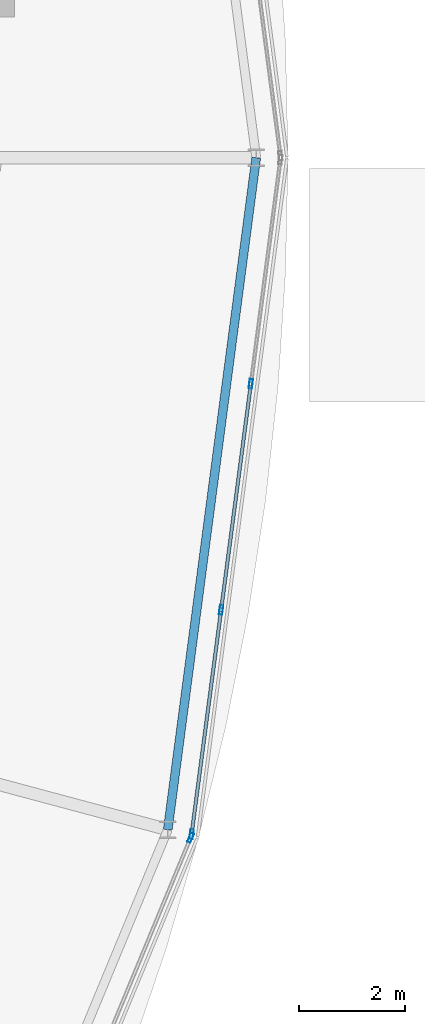
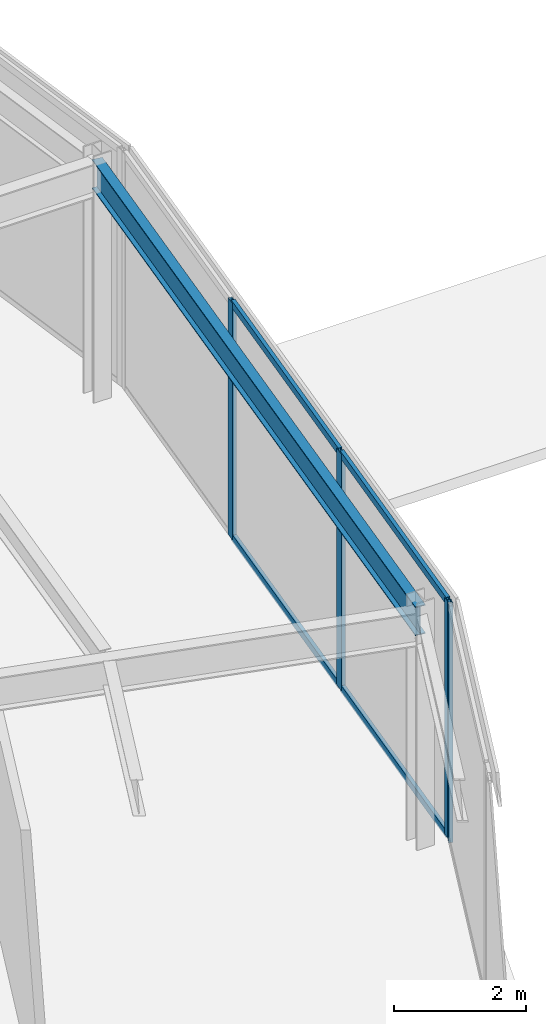
# One storey, part 83 of 133: 8 members, 1 beam, 2 elements without a shape of their own.
"""IFC4 building model written with IfcOpenShell, lengths in metres."""

from ifc_helpers import new_model, si_unit, direction, frame, origin, origin_2d, place, context, subcontext, project, spatial, hollow_rectangle, i_section, extrude, material, material_profile, profile_set, type_object, element, aggregate, save


model = new_model("IFC4")

# Units and contexts
model_context = context("Model", 3, precision=1e-05, world=origin(), true_north=direction((0.0, 1.0)))
body_context = subcontext(model_context, "Body", "Model", "MODEL_VIEW")
ifc_project = project(units=[si_unit("LENGTHUNIT", "METRE"), si_unit("AREAUNIT", "SQUARE_METRE"), si_unit("VOLUMEUNIT", "CUBIC_METRE"), si_unit("PLANEANGLEUNIT", "RADIAN"), si_unit("MASSUNIT", "GRAM", prefix="KILO")], contexts=[model_context])

# Site, building, storey
site_placement = place(None, origin())
site = spatial("IfcSite", under=ifc_project, at=site_placement, CompositionType="ELEMENT")
building_placement = place(site_placement, origin())
building = spatial("IfcBuilding", under=site, at=building_placement, Name="Almandine Court Research Institute", CompositionType="ELEMENT")
storey_placement = place(building_placement, frame((0.0, 0.0, 9.800048828125)))
storey = spatial("IfcBuildingStorey", under=building, at=storey_placement, Name="L02", CompositionType="ELEMENT", Elevation=9.800048828125)

# Beam
ifc_material_1 = material(Name="Steel ASTM A992 Grade 50", Category="steel")
ifc_material_profile_1 = material_profile(ifc_material_1, i_section(OverallWidth=0.166015625, OverallDepth=0.534912109375, WebThickness=0.010009765625, FlangeThickness=0.01708984375, at=origin_2d()), Name="W530x85")
ifc_profile_set_1 = profile_set([ifc_material_profile_1], Name="Steel ASTM A992 Grade 50")
beam_type = type_object("IfcBeamType", Name="Beam-G-05-E", PredefinedType="SPANDREL", material=ifc_profile_set_1)
beam_placement = place(storey_placement, frame((134.23388671875, 43.343994140625, 4.10205078125), z_axis=(0.130512396599, 0.991446677504, 0.0), x_axis=(-0.991446677504, 0.130512396599, 0.0)))
element("IfcBeam", 1, at=beam_placement, inside=storey, type_object=beam_type, Name="L02 Drum OUT Ring Beam 23", PredefinedType="SPANDREL", context=body_context, shape_type="SweptSolid", body=[
    extrude(i_section(OverallWidth=0.166015625, OverallDepth=0.534912109375, WebThickness=0.010009765625, FlangeThickness=0.01708984375, at=origin_2d()), origin(), (0.0, 0.0, 1.0), 12.76513671875),
])

# Curtain wall, member
ifc_material_2 = material(Name="Unitised Curtain Wall Framing and Solar Glazing", Category="glass")
curtain_wall_type = type_object("IfcCurtainWallType", Name="CW-CWJ-19", PredefinedType="USERDEFINED", material=ifc_material_2)
curtain_wall_1_placement = place(storey_placement, origin())
curtain_wall_1 = element("IfcCurtainWall", 2, at=curtain_wall_1_placement, inside=storey, type_object=curtain_wall_type, Name="L02 Stacked-Ring Drum Outer Solar Jali Screen 22", ObjectType="SOLAR JALI SCREEN", PredefinedType="USERDEFINED")
ifc_material_3 = material(Name="Anodised Aluminium AW-6063-T6", Category="aluminium")
ifc_material_profile_2 = material_profile(ifc_material_3, hollow_rectangle(XDim=0.06494140625, YDim=0.179931640625, WallThickness=0.00390625, at=origin_2d()), Name="ALU RHS 65x180x4")
ifc_profile_set_2 = profile_set([ifc_material_profile_2], Name="Anodised Aluminium AW-6063-T6")
member_type_1 = type_object("IfcMemberType", Name="CWMul-65x180", PredefinedType="MULLION", material=ifc_profile_set_2)
member_1_placement = place(storey_placement, frame((134.66455078125, 43.19091796875, 0.0), z_axis=(0.0, 0.0, 1.0), x_axis=(0.923888124321, -0.382662689242, 0.0)))
member_1 = element("IfcMember", 3, at=member_1_placement, type_object=member_type_1, Name="CWJ-19 mullion 1", PredefinedType="MULLION", context=body_context, shape_type="SweptSolid", body=[
    extrude(hollow_rectangle(XDim=0.06494140625, YDim=0.179931640625, WallThickness=0.00390625, at=origin_2d()), origin(), (0.0, 0.0, 1.0), 4.369873046875),
])
aggregate(curtain_wall_1, [member_1])

# Curtain wall, members
curtain_wall_2_placement = place(storey_placement, origin())
curtain_wall_2 = element("IfcCurtainWall", 4, at=curtain_wall_2_placement, inside=storey, type_object=curtain_wall_type, Name="L02 Stacked-Ring Drum Outer Solar Jali Screen 23", ObjectType="SOLAR JALI SCREEN", PredefinedType="USERDEFINED")
member_2_placement = place(storey_placement, frame((135.799560546875, 51.740234375, 0.0), z_axis=(0.0, 0.0, 1.0), x_axis=(0.991442926098, -0.130540891259, 0.0)))
member_2 = element("IfcMember", 5, at=member_2_placement, type_object=member_type_1, Name="CWJ-19 mullion 2", PredefinedType="MULLION", context=body_context, shape_type="SweptSolid", body=[
    extrude(hollow_rectangle(XDim=0.06494140625, YDim=0.179931640625, WallThickness=0.00390625, at=origin_2d()), origin(), (0.0, 0.0, 1.0), 4.369873046875),
])
member_3_placement = place(storey_placement, frame((135.2392578125, 47.484619140625, 0.0), z_axis=(0.0, 0.0, 1.0), x_axis=(0.991442926098, -0.130540891259, 0.0)))
member_3 = element("IfcMember", 6, at=member_3_placement, type_object=member_type_1, Name="CWJ-19 mullion 3", PredefinedType="MULLION", context=body_context, shape_type="SweptSolid", body=[
    extrude(hollow_rectangle(XDim=0.06494140625, YDim=0.179931640625, WallThickness=0.00390625, at=origin_2d()), origin(), (0.0, 0.0, 1.0), 4.369873046875),
])
member_4_placement = place(storey_placement, frame((134.683349609375, 43.26123046875, 0.0), z_axis=(0.0, 0.0, 1.0), x_axis=(0.991442926098, -0.130540891259, 0.0)))
member_4 = element("IfcMember", 7, at=member_4_placement, type_object=member_type_1, Name="CWJ-19 mullion 4", PredefinedType="MULLION", context=body_context, shape_type="SweptSolid", body=[
    extrude(hollow_rectangle(XDim=0.06494140625, YDim=0.179931640625, WallThickness=0.00390625, at=origin_2d()), origin(), (0.0, 0.0, 1.0), 4.369873046875),
])
ifc_material_profile_3 = material_profile(ifc_material_3, hollow_rectangle(XDim=0.06494140625, YDim=0.1298828125, WallThickness=0.00390625, at=origin_2d()), Name="ALU RHS 65x130x4")
ifc_profile_set_3 = profile_set([ifc_material_profile_3], Name="Anodised Aluminium AW-6063-T6")
member_type_2 = type_object("IfcMemberType", Name="CWTrn-65x130", PredefinedType="NOTDEFINED", material=ifc_profile_set_3)
member_5_placement = place(storey_placement, frame((135.79541015625, 51.7080078125, 0.032470703125), z_axis=(-0.130521740045, -0.991445447504, 0.0), x_axis=(0.991445447504, -0.130521740045, 0.0)))
member_5 = element("IfcMember", 8, at=member_5_placement, type_object=member_type_2, Name="CWJ-19 transom 2.1", ObjectType="TRANSOM", PredefinedType="USERDEFINED", context=body_context, shape_type="SweptSolid", body=[
    extrude(hollow_rectangle(XDim=0.06494140625, YDim=0.1298828125, WallThickness=0.00390625, at=origin_2d()), origin(), (0.0, 0.0, 1.0), 4.227294921875),
])
member_6_placement = place(storey_placement, frame((135.79541015625, 51.7080078125, 4.33740234375), z_axis=(-0.130521740045, -0.991445447504, 0.0), x_axis=(0.991445447504, -0.130521740045, 0.0)))
member_6 = element("IfcMember", 9, at=member_6_placement, type_object=member_type_2, Name="CWJ-19 transom 2.2", ObjectType="TRANSOM", PredefinedType="USERDEFINED", context=body_context, shape_type="SweptSolid", body=[
    extrude(hollow_rectangle(XDim=0.06494140625, YDim=0.1298828125, WallThickness=0.00390625, at=origin_2d()), origin(), (0.0, 0.0, 1.0), 4.227294921875),
])
member_7_placement = place(storey_placement, frame((135.235107421875, 47.452392578125, 0.032470703125), z_axis=(-0.130543337873, -0.991442603955, 0.0), x_axis=(0.991442603955, -0.130543337873, 0.0)))
member_7 = element("IfcMember", 10, at=member_7_placement, type_object=member_type_2, Name="CWJ-19 transom 3.1", ObjectType="TRANSOM", PredefinedType="USERDEFINED", context=body_context, shape_type="SweptSolid", body=[
    extrude(hollow_rectangle(XDim=0.06494140625, YDim=0.1298828125, WallThickness=0.00390625, at=origin_2d()), origin(), (0.0, 0.0, 1.0), 4.19482421875),
])
member_8_placement = place(storey_placement, frame((135.235107421875, 47.452392578125, 4.33740234375), z_axis=(-0.130543337873, -0.991442603955, 0.0), x_axis=(0.991442603955, -0.130543337873, 0.0)))
member_8 = element("IfcMember", 11, at=member_8_placement, type_object=member_type_2, Name="CWJ-19 transom 3.2", ObjectType="TRANSOM", PredefinedType="USERDEFINED", context=body_context, shape_type="SweptSolid", body=[
    extrude(hollow_rectangle(XDim=0.06494140625, YDim=0.1298828125, WallThickness=0.00390625, at=origin_2d()), origin(), (0.0, 0.0, 1.0), 4.19482421875),
])
aggregate(curtain_wall_2, [member_2, member_3, member_4, member_5, member_6, member_7, member_8])

save(model, "model.ifc")
